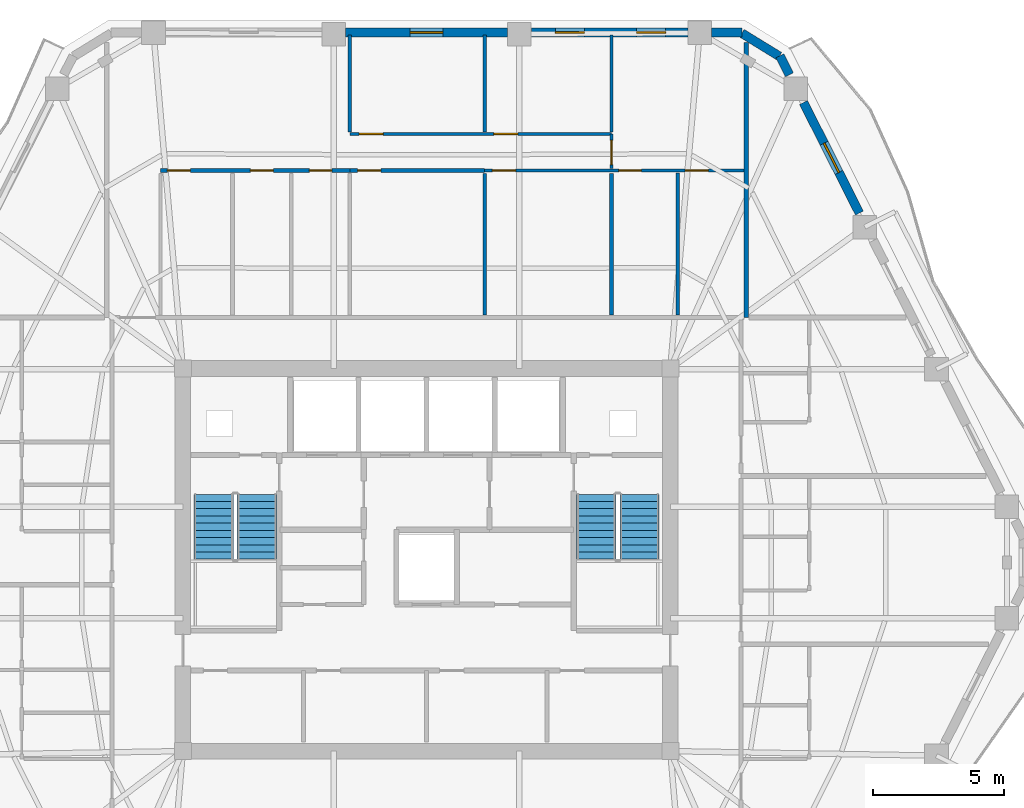
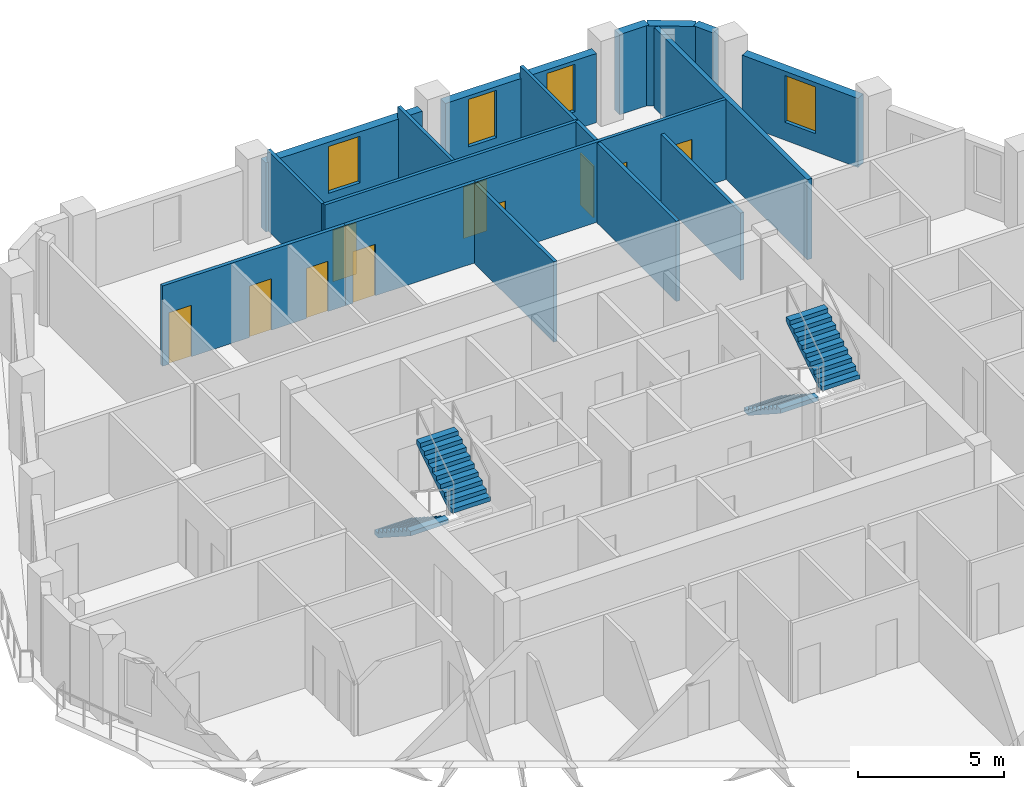
# One storey, part 8 of 12: 18 walls, 10 doors, 4 stair flights, 4 windows, 14 openings, 2 elements without a shape of their own.
"""IFC4 building model written with IfcOpenShell, lengths in metres."""

from ifc_helpers import new_model, si_unit, direction, frame, frame_2d, origin, place, context, subcontext, project, spatial, polyline, rectangle, outline, extrude, material, layer, layer_set, type_object, element, fill, aggregate, save


model = new_model("IFC4")

# Units and contexts
model_context = context("Model", 3, precision=1e-05, world=origin(), true_north=direction((0.0, 1.0)))
body_context = subcontext(model_context, "Body", "Model", "MODEL_VIEW")
ifc_project = project(units=[si_unit("LENGTHUNIT", "METRE"), si_unit("AREAUNIT", "SQUARE_METRE"), si_unit("VOLUMEUNIT", "CUBIC_METRE"), si_unit("PLANEANGLEUNIT", "RADIAN"), si_unit("MASSUNIT", "GRAM", prefix="KILO")], contexts=[model_context])

# Site, building, storey
site_placement = place(None, origin())
site = spatial("IfcSite", under=ifc_project, at=site_placement, CompositionType="ELEMENT")
building_placement = place(site_placement, origin())
building = spatial("IfcBuilding", under=site, at=building_placement, Name="Cinnabar Lancet Tower", CompositionType="ELEMENT")
storey_placement = place(building_placement, frame((0.0, 0.0, 189.64990234375)))
storey = spatial("IfcBuildingStorey", under=building, at=storey_placement, Name="L50", CompositionType="ELEMENT", Elevation=189.64990234375)

# Wall
ifc_material_1 = material(Name="Fire-rated twin-frame acoustic drywall", Category="gypsum")
ifc_layer_1 = layer(ifc_material_1, 0.179931640625)
ifc_layer_set_1 = layer_set([ifc_layer_1], Name="Fire-rated twin-frame acoustic drywall")
wall_type_1 = type_object("IfcWallType", Name="ARC-WL-PARTY-180", PredefinedType="PARTITIONING", material=ifc_layer_set_1)
wall_1_placement = place(storey_placement, frame((44.60009765625, 35.14990234375, 0.0), z_axis=(0.0, 0.0, 1.0), x_axis=(0.0, 1.0, 0.0)))
element("IfcWall", 1, at=wall_1_placement, inside=storey, type_object=wall_type_1, Name="PW-L50-NPTY-446", PredefinedType="PARTITIONING", context=body_context, shape_type="SweptSolid", body=[
    extrude(rectangle(XDim=10.482177734375, YDim=0.179931640625, at=frame_2d((5.2412109375, 0.0))), origin(), (0.0, 0.0, 1.0), 3.35009765625),
])

# Wall, openings, doors
ifc_material_2 = material(Name="Gypsum plasterboard stud partition", Category="gypsum")
ifc_layer_2 = layer(ifc_material_2, 0.125)
ifc_layer_set_2 = layer_set([ifc_layer_2], Name="Gypsum plasterboard stud partition")
wall_type_2 = type_object("IfcWallType", Name="ARC-WL-UNIT-125", PredefinedType="PARTITIONING", material=ifc_layer_set_2)
wall_2_placement = place(storey_placement, frame((34.615966796875, 40.75390625, 0.0), z_axis=(0.0, 0.0, 1.0), x_axis=(1.0, 0.0, 0.0)))
wall_2 = element("IfcWall", 2, at=wall_2_placement, inside=storey, type_object=wall_type_2, Name="UW-L50-N01-SP2", PredefinedType="PARTITIONING", context=body_context, shape_type="SweptSolid", body=[
    extrude(rectangle(XDim=9.888916015625, YDim=0.125, at=frame_2d((4.9443359375, 0.0))), origin(), (0.0, 0.0, 1.0), 3.35009765625),
])
opening_1_placement = place(wall_2_placement, frame((5.1201171875, 0.0, 0.0)))
opening_1 = element("IfcOpeningElement", 3, at=opening_1_placement, cuts=wall_2, Name="Opening BD-01", PredefinedType="OPENING", context=body_context, shape_type="SweptSolid", body=[
    extrude(rectangle(XDim=0.860107421875, YDim=2.10009765625, at=frame_2d((0.43017578125, 1.050048828125))), frame((0.0, 0.072509765625, 0.0), z_axis=(0.0, -1.0, 0.0), x_axis=(1.0, 0.0, 0.0)), (0.0, 0.0, 1.0), 0.14501953125),
])
opening_2_placement = place(wall_2_placement, frame((7.655029296875, 0.0, 0.0)))
opening_2 = element("IfcOpeningElement", 4, at=opening_2_placement, cuts=wall_2, Name="Opening RD-02", PredefinedType="OPENING", context=body_context, shape_type="SweptSolid", body=[
    extrude(rectangle(XDim=0.8798828125, YDim=2.14990234375, at=frame_2d((0.43994140625, 1.074951171875))), frame((0.0, 0.072509765625, 0.0), z_axis=(0.0, -1.0, 0.0), x_axis=(1.0, 0.0, 0.0)), (0.0, 0.0, 1.0), 0.14501953125),
])
opening_3_placement = place(wall_2_placement, frame((0.300048828125, 0.0, 0.0)))
opening_3 = element("IfcOpeningElement", 5, at=opening_3_placement, cuts=wall_2, Name="Opening RD-02", PredefinedType="OPENING", context=body_context, shape_type="SweptSolid", body=[
    extrude(rectangle(XDim=0.8798828125, YDim=2.14990234375, at=frame_2d((0.43994140625, 1.074951171875))), frame((0.0, 0.072509765625, 0.0), z_axis=(0.0, -1.0, 0.0), x_axis=(1.0, 0.0, 0.0)), (0.0, 0.0, 1.0), 0.14501953125),
])
ifc_material_3 = material(Name="Moisture-resistant timber bathroom door", Category="wood")
door_type_1 = type_object("IfcDoorType", Name="ARC-DR-BATH", OperationType="NOTDEFINED", PredefinedType="DOOR", material=ifc_material_3)
door_1_placement = place(opening_1_placement, origin())
door_1 = element("IfcDoor", 6, at=door_1_placement, inside=storey, type_object=door_type_1, Name="DR-L50-N01-ENS", OperationType="SINGLE_SWING_LEFT", OverallHeight=2.10009765625, OverallWidth=0.860107421875, PredefinedType="DOOR", context=body_context, shape_type="SweptSolid", body=[
    extrude(rectangle(XDim=0.860107421875, YDim=2.10009765625, at=frame_2d((0.43017578125, 1.050048828125))), frame((0.0, 0.02490234375, 0.0), z_axis=(0.0, -1.0, 0.0), x_axis=(1.0, 0.0, 0.0)), (0.0, 0.0, 1.0), 0.050048828125),
])
fill(opening_1, door_1)
ifc_material_4 = material(Name="Engineered timber study door", Category="wood")
door_type_2 = type_object("IfcDoorType", Name="ARC-DR-STUDY", OperationType="NOTDEFINED", PredefinedType="DOOR", material=ifc_material_4)
door_2_placement = place(opening_2_placement, origin())
door_2 = element("IfcDoor", 7, at=door_2_placement, inside=storey, type_object=door_type_2, Name="DR-L50-N01-ENS-WDR", OperationType="SINGLE_SWING_RIGHT", OverallHeight=2.14990234375, OverallWidth=0.8798828125, PredefinedType="DOOR", context=body_context, shape_type="SweptSolid", body=[
    extrude(rectangle(XDim=0.8798828125, YDim=2.14990234375, at=frame_2d((0.43994140625, 1.074951171875))), frame((0.0, 0.02490234375, 0.0), z_axis=(0.0, -1.0, 0.0), x_axis=(1.0, 0.0, 0.0)), (0.0, 0.0, 1.0), 0.050048828125),
])
fill(opening_2, door_2)
door_3_placement = place(opening_3_placement, origin())
door_3 = element("IfcDoor", 8, at=door_3_placement, inside=storey, type_object=door_type_2, Name="DR-L50-N01-DRS", OperationType="SINGLE_SWING_RIGHT", OverallHeight=2.14990234375, OverallWidth=0.8798828125, PredefinedType="DOOR", context=body_context, shape_type="SweptSolid", body=[
    extrude(rectangle(XDim=0.8798828125, YDim=2.14990234375, at=frame_2d((0.43994140625, 1.074951171875))), frame((0.0, 0.02490234375, 0.0), z_axis=(0.0, -1.0, 0.0), x_axis=(1.0, 0.0, 0.0)), (0.0, 0.0, 1.0), 0.050048828125),
])
fill(opening_3, door_3)

# Wall
wall_3_placement = place(storey_placement, frame((29.471923828125, 42.218994140625, 0.0), z_axis=(0.0, 0.0, 1.0), x_axis=(0.0, 1.0, 0.0)))
element("IfcWall", 9, at=wall_3_placement, inside=storey, type_object=wall_type_2, Name="UW-L50-N01-BD2W", PredefinedType="PARTITIONING", context=body_context, shape_type="SweptSolid", body=[
    extrude(rectangle(XDim=3.716064453125, YDim=0.125, at=frame_2d((1.85791015625, 0.0))), origin(), (0.0, 0.0, 1.0), 3.35009765625),
])

# Wall, openings, doors
wall_4_placement = place(storey_placement, frame((29.471923828125, 42.154052734375, 0.0), z_axis=(0.0, 0.0, 1.0), x_axis=(1.0, 0.0, 0.0)))
wall_4 = element("IfcWall", 10, at=wall_4_placement, inside=storey, type_object=wall_type_2, Name="UW-L50-N01-HLN", PredefinedType="PARTITIONING", context=body_context, shape_type="SweptSolid", body=[
    extrude(rectangle(XDim=9.984130859375, YDim=0.125, at=frame_2d((4.9921875, 0.0))), origin(), (0.0, 0.0, 1.0), 3.35009765625),
])
opening_4_placement = place(wall_4_placement, frame((0.35009765625, 0.0, 0.0)))
opening_4 = element("IfcOpeningElement", 11, at=opening_4_placement, cuts=wall_4, Name="Opening RD-01", PredefinedType="OPENING", context=body_context, shape_type="SweptSolid", body=[
    extrude(rectangle(XDim=0.919921875, YDim=2.14990234375, at=frame_2d((0.4599609375, 1.074951171875))), frame((0.0, 0.072509765625, 0.0), z_axis=(0.0, -1.0, 0.0), x_axis=(1.0, 0.0, 0.0)), (0.0, 0.0, 1.0), 0.14501953125),
])
opening_5_placement = place(wall_4_placement, frame((5.493896484375, 0.0, 0.0)))
opening_5 = element("IfcOpeningElement", 12, at=opening_5_placement, cuts=wall_4, Name="Opening RD-01", PredefinedType="OPENING", context=body_context, shape_type="SweptSolid", body=[
    extrude(rectangle(XDim=0.919921875, YDim=2.14990234375, at=frame_2d((0.4599609375, 1.074951171875))), frame((0.0, 0.072509765625, 0.0), z_axis=(0.0, -1.0, 0.0), x_axis=(1.0, 0.0, 0.0)), (0.0, 0.0, 1.0), 0.14501953125),
])
ifc_material_5 = material(Name="Engineered timber bedroom door", Category="wood")
door_type_3 = type_object("IfcDoorType", Name="ARC-DR-ROOM", OperationType="NOTDEFINED", PredefinedType="DOOR", material=ifc_material_5)
door_4_placement = place(opening_4_placement, origin())
door_4 = element("IfcDoor", 13, at=door_4_placement, inside=storey, type_object=door_type_3, Name="DR-L50-N01-BD2", OperationType="SINGLE_SWING_LEFT", OverallHeight=2.14990234375, OverallWidth=0.919921875, PredefinedType="DOOR", context=body_context, shape_type="SweptSolid", body=[
    extrude(rectangle(XDim=0.919921875, YDim=2.14990234375, at=frame_2d((0.4599609375, 1.074951171875))), frame((0.0, 0.02490234375, 0.0), z_axis=(0.0, -1.0, 0.0), x_axis=(1.0, 0.0, 0.0)), (0.0, 0.0, 1.0), 0.050048828125),
])
fill(opening_4, door_4)
door_5_placement = place(opening_5_placement, origin())
door_5 = element("IfcDoor", 14, at=door_5_placement, inside=storey, type_object=door_type_3, Name="DR-L50-N01-BD3", OperationType="SINGLE_SWING_RIGHT", OverallHeight=2.14990234375, OverallWidth=0.919921875, PredefinedType="DOOR", context=body_context, shape_type="SweptSolid", body=[
    extrude(rectangle(XDim=0.919921875, YDim=2.14990234375, at=frame_2d((0.4599609375, 1.074951171875))), frame((0.0, 0.02490234375, 0.0), z_axis=(0.0, -1.0, 0.0), x_axis=(1.0, 0.0, 0.0)), (0.0, 0.0, 1.0), 0.050048828125),
])
fill(opening_5, door_5)

# Wall, opening, door
wall_5_placement = place(storey_placement, frame((39.4560546875, 40.823974609375, 0.0), z_axis=(0.0, 0.0, 1.0), x_axis=(0.0, 1.0, 0.0)))
wall_5 = element("IfcWall", 15, at=wall_5_placement, inside=storey, type_object=wall_type_2, Name="UW-L50-N01-MBE", PredefinedType="PARTITIONING", context=body_context, shape_type="SweptSolid", body=[
    extrude(rectangle(XDim=1.330078125, YDim=0.125, at=frame_2d((0.6650390625, 0.0))), origin(), (0.0, 0.0, 1.0), 3.35009765625),
])
opening_6_placement = place(wall_5_placement, frame((0.159912109375, 0.0, 0.0)))
opening_6 = element("IfcOpeningElement", 16, at=opening_6_placement, cuts=wall_5, Name="Opening RD-01", PredefinedType="OPENING", context=body_context, shape_type="SweptSolid", body=[
    extrude(rectangle(XDim=0.919921875, YDim=2.14990234375, at=frame_2d((0.4599609375, 1.074951171875))), frame((0.0, 0.072509765625, 0.0), z_axis=(0.0, -1.0, 0.0), x_axis=(1.0, 0.0, 0.0)), (0.0, 0.0, 1.0), 0.14501953125),
])
door_6_placement = place(opening_6_placement, origin())
door_6 = element("IfcDoor", 17, at=door_6_placement, inside=storey, type_object=door_type_3, Name="DR-L50-N01-MBD", OperationType="SINGLE_SWING_LEFT", OverallHeight=2.14990234375, OverallWidth=0.919921875, PredefinedType="DOOR", context=body_context, shape_type="SweptSolid", body=[
    extrude(rectangle(XDim=0.919921875, YDim=2.14990234375, at=frame_2d((0.4599609375, 1.074951171875))), frame((0.0, 0.02490234375, 0.0), z_axis=(0.0, -1.0, 0.0), x_axis=(1.0, 0.0, 0.0)), (0.0, 0.0, 1.0), 0.050048828125),
])
fill(opening_6, door_6)

# Walls
for number, where, z_axis, x_axis, name in (
    (18, (34.615966796875, 42.218994140625, 0.0), (0.0, 0.0, 1.0), (0.0, 1.0, 0.0), "UW-L50-N01-MB2W"),
    (19, (39.4560546875, 42.218994140625, 0.0), (0.0, 0.0, 1.0), (0.0, 1.0, 0.0), "UW-L50-N01-B23W"),
):
    element("IfcWall", number, at=place(storey_placement, frame(where, z_axis=z_axis, x_axis=x_axis)), inside=storey, type_object=wall_type_2, Name=name, PredefinedType="PARTITIONING", context=body_context, shape_type="SweptSolid", body=[
        extrude(rectangle(XDim=3.716064453125, YDim=0.125, at=frame_2d((1.85791015625, 0.0))), origin(), (0.0, 0.0, 1.0), 3.35009765625),
    ])

# Wall, openings, doors
ifc_material_6 = material(Name="Moisture-resistant cement-board plumbing wall", Category="masonry")
ifc_layer_3 = layer(ifc_material_6, 0.139892578125)
ifc_layer_set_3 = layer_set([ifc_layer_3], Name="Moisture-resistant cement-board plumbing wall")
wall_type_3 = type_object("IfcWallType", Name="ARC-WL-WET-140", PredefinedType="PLUMBINGWALL", material=ifc_layer_set_3)
wall_6_placement = place(storey_placement, frame((22.25, 40.75390625, 0.0), z_axis=(0.0, 0.0, 1.0), x_axis=(1.0, 0.0, 0.0)))
wall_6 = element("IfcWall", 20, at=wall_6_placement, inside=storey, type_object=wall_type_3, Name="UW-L50-N01-SPL", PredefinedType="PLUMBINGWALL", context=body_context, shape_type="SweptSolid", body=[
    extrude(rectangle(XDim=7.221923828125, YDim=0.139892578125, at=frame_2d((3.61083984375, 0.0))), origin(), (0.0, 0.0, 1.0), 3.35009765625),
])
opening_7_placement = place(wall_6_placement, frame((5.677978515625, 0.0, 0.0)))
opening_7 = element("IfcOpeningElement", 21, at=opening_7_placement, cuts=wall_6, Name="Opening BD-01", PredefinedType="OPENING", context=body_context, shape_type="SweptSolid", body=[
    extrude(rectangle(XDim=0.860107421875, YDim=2.10009765625, at=frame_2d((0.43017578125, 1.050048828125))), frame((0.0, 0.079833984375, 0.0), z_axis=(0.0, -1.0, 0.0), x_axis=(1.0, 0.0, 0.0)), (0.0, 0.0, 1.0), 0.159912109375),
])
opening_8_placement = place(wall_6_placement, frame((0.260009765625, 0.0, 0.0)))
opening_8 = element("IfcOpeningElement", 22, at=opening_8_placement, cuts=wall_6, Name="Opening RD-02", PredefinedType="OPENING", context=body_context, shape_type="SweptSolid", body=[
    extrude(rectangle(XDim=0.8798828125, YDim=2.14990234375, at=frame_2d((0.43994140625, 1.074951171875))), frame((0.0, 0.079833984375, 0.0), z_axis=(0.0, -1.0, 0.0), x_axis=(1.0, 0.0, 0.0)), (0.0, 0.0, 1.0), 0.159912109375),
])
opening_9_placement = place(wall_6_placement, frame((3.424072265625, 0.0, 0.0)))
opening_9 = element("IfcOpeningElement", 23, at=opening_9_placement, cuts=wall_6, Name="Opening RD-02", PredefinedType="OPENING", context=body_context, shape_type="SweptSolid", body=[
    extrude(rectangle(XDim=0.8798828125, YDim=2.14990234375, at=frame_2d((0.43994140625, 1.074951171875))), frame((0.0, 0.079833984375, 0.0), z_axis=(0.0, -1.0, 0.0), x_axis=(1.0, 0.0, 0.0)), (0.0, 0.0, 1.0), 0.159912109375),
])
door_7_placement = place(opening_7_placement, origin())
door_7 = element("IfcDoor", 24, at=door_7_placement, inside=storey, type_object=door_type_1, Name="DR-L50-N01-BTH", OperationType="SINGLE_SWING_LEFT", OverallHeight=2.10009765625, OverallWidth=0.860107421875, PredefinedType="DOOR", context=body_context, shape_type="SweptSolid", body=[
    extrude(rectangle(XDim=0.860107421875, YDim=2.10009765625, at=frame_2d((0.43017578125, 1.050048828125))), frame((0.0, 0.02490234375, 0.0), z_axis=(0.0, -1.0, 0.0), x_axis=(1.0, 0.0, 0.0)), (0.0, 0.0, 1.0), 0.050048828125),
])
fill(opening_7, door_7)
door_8_placement = place(opening_8_placement, origin())
door_8 = element("IfcDoor", 25, at=door_8_placement, inside=storey, type_object=door_type_2, Name="DR-L50-N01-KIT", OperationType="SINGLE_SWING_LEFT", OverallHeight=2.14990234375, OverallWidth=0.8798828125, PredefinedType="DOOR", context=body_context, shape_type="SweptSolid", body=[
    extrude(rectangle(XDim=0.8798828125, YDim=2.14990234375, at=frame_2d((0.43994140625, 1.074951171875))), frame((0.0, 0.02490234375, 0.0), z_axis=(0.0, -1.0, 0.0), x_axis=(1.0, 0.0, 0.0)), (0.0, 0.0, 1.0), 0.050048828125),
])
fill(opening_8, door_8)
door_9_placement = place(opening_9_placement, origin())
door_9 = element("IfcDoor", 26, at=door_9_placement, inside=storey, type_object=door_type_2, Name="DR-L50-N01-STD", OperationType="SINGLE_SWING_RIGHT", OverallHeight=2.14990234375, OverallWidth=0.8798828125, PredefinedType="DOOR", context=body_context, shape_type="SweptSolid", body=[
    extrude(rectangle(XDim=0.8798828125, YDim=2.14990234375, at=frame_2d((0.43994140625, 1.074951171875))), frame((0.0, 0.02490234375, 0.0), z_axis=(0.0, -1.0, 0.0), x_axis=(1.0, 0.0, 0.0)), (0.0, 0.0, 1.0), 0.050048828125),
])
fill(opening_9, door_9)

# Wall, opening, door
wall_7_placement = place(storey_placement, frame((29.471923828125, 40.75390625, 0.0), z_axis=(0.0, 0.0, 1.0), x_axis=(1.0, 0.0, 0.0)))
wall_7 = element("IfcWall", 27, at=wall_7_placement, inside=storey, type_object=wall_type_3, Name="UW-L50-N01-SPM", PredefinedType="PLUMBINGWALL", context=body_context, shape_type="SweptSolid", body=[
    extrude(rectangle(XDim=5.14404296875, YDim=0.139892578125, at=frame_2d((2.572021484375, 0.0))), origin(), (0.0, 0.0, 1.0), 3.35009765625),
])
opening_10_placement = place(wall_7_placement, frame((0.300048828125, 0.0, 0.0)))
opening_10 = element("IfcOpeningElement", 28, at=opening_10_placement, cuts=wall_7, Name="Opening RD-02", PredefinedType="OPENING", context=body_context, shape_type="SweptSolid", body=[
    extrude(rectangle(XDim=0.8798828125, YDim=2.14990234375, at=frame_2d((0.43994140625, 1.074951171875))), frame((0.0, 0.079833984375, 0.0), z_axis=(0.0, -1.0, 0.0), x_axis=(1.0, 0.0, 0.0)), (0.0, 0.0, 1.0), 0.159912109375),
])
door_10_placement = place(opening_10_placement, origin())
door_10 = element("IfcDoor", 29, at=door_10_placement, inside=storey, type_object=door_type_2, Name="DR-L50-N01-UTL", OperationType="SINGLE_SWING_RIGHT", OverallHeight=2.14990234375, OverallWidth=0.8798828125, PredefinedType="DOOR", context=body_context, shape_type="SweptSolid", body=[
    extrude(rectangle(XDim=0.8798828125, YDim=2.14990234375, at=frame_2d((0.43994140625, 1.074951171875))), frame((0.0, 0.02490234375, 0.0), z_axis=(0.0, -1.0, 0.0), x_axis=(1.0, 0.0, 0.0)), (0.0, 0.0, 1.0), 0.050048828125),
])
fill(opening_10, door_10)

# Walls
for number, where, z_axis, x_axis, name in (
    (30, (34.615966796875, 35.235107421875, 0.0), (0.0, 0.0, 1.0), (0.0, 1.0, 0.0), "UW-L50-N01-ENSE"),
    (31, (39.4560546875, 35.235107421875, 0.0), (0.0, 0.0, 1.0), (0.0, 1.0, 0.0), "UW-L50-N01-UT3"),
):
    element("IfcWall", number, at=place(storey_placement, frame(where, z_axis=z_axis, x_axis=x_axis)), inside=storey, type_object=wall_type_3, Name=name, PredefinedType="PLUMBINGWALL", context=body_context, shape_type="SweptSolid", body=[
        extrude(rectangle(XDim=5.413818359375, YDim=0.139892578125, at=frame_2d((2.70703125, 0.0))), origin(), (0.0, 0.0, 1.0), 3.35009765625),
    ])
wall_8_placement = place(storey_placement, frame((41.990966796875, 35.235107421875, 0.0), z_axis=(0.0, 0.0, 1.0), x_axis=(0.0, 1.0, 0.0)))
element("IfcWall", 32, at=wall_8_placement, inside=storey, type_object=wall_type_3, Name="UW-L50-N01-ENS-WDV", PredefinedType="PLUMBINGWALL", context=body_context, shape_type="SweptSolid", body=[
    extrude(rectangle(XDim=5.433837890625, YDim=0.139892578125, at=frame_2d((2.716796875, 0.0))), origin(), (0.0, 0.0, 1.0), 2.80712890625),
])
ifc_material_7 = material(Name="Cinnabar red clay brick", Category="masonry")
ifc_layer_4 = layer(ifc_material_7, 0.340087890625)
ifc_layer_set_4 = layer_set([ifc_layer_4], Name="Cinnabar red clay brick")
wall_type_4 = type_object("IfcWallType", Name="ENV-WL-BRK-RED-340", PredefinedType="STANDARD", material=ifc_layer_set_4)
wall_9_placement = place(storey_placement, frame((45.862060546875, 45.115966796875, 0.0), z_axis=(0.0, 0.0, 1.0), x_axis=(-0.851713271379, 0.524008113828, 0.0)))
element("IfcWall", 33, at=wall_9_placement, inside=storey, type_object=wall_type_4, Name="L50 Chamfered Corner Brick Pier 4.1", PredefinedType="STANDARD", context=body_context, shape_type="SweptSolid", body=[
    extrude(rectangle(XDim=1.677734375, YDim=0.340087890625, at=frame_2d((0.8388671875, 0.0))), origin(), (0.0, 0.0, 1.0), 3.35009765625),
])

# Wall, opening, window
wall_10_placement = place(storey_placement, frame((48.9189453125, 39.1298828125, 0.0), z_axis=(0.0, 0.0, 1.0), x_axis=(-0.45150207307, 0.892270070109, 0.0)))
wall_10 = element("IfcWall", 34, at=wall_10_placement, inside=storey, type_object=wall_type_4, Name="L50 Face 3 Masonry Bay Wall 4", PredefinedType="STANDARD", context=body_context, shape_type="SweptSolid", body=[
    extrude(rectangle(XDim=4.73095703125, YDim=0.340087890625, at=frame_2d((2.365478515625, 0.0))), origin(), (0.0, 0.0, 1.0), 2.883056640625),
])
opening_11_placement = place(wall_10_placement, frame((1.739990234375, 0.0, 0.75)))
opening_11 = element("IfcOpeningElement", 35, at=opening_11_placement, cuts=wall_10, Name="Opening WN-03", PredefinedType="OPENING", context=body_context, shape_type="SweptSolid", body=[
    extrude(rectangle(XDim=1.25, YDim=1.949951171875, at=frame_2d((0.625, 0.97509765625))), frame((0.0, 0.179931640625, 0.0), z_axis=(0.0, -1.0, 0.0), x_axis=(1.0, 0.0, 0.0)), (0.0, 0.0, 1.0), 0.360107421875),
])
ifc_material_8 = material(Name="Thermally broken bronze-anodized aluminium low-E double glazing", Category="aluminium")
window_type_1 = type_object("IfcWindowType", Name="ENV-WN-LANCET-1250", PartitioningType="SINGLE_PANEL", PredefinedType="WINDOW", material=ifc_material_8)
window_1_placement = place(opening_11_placement, origin())
window_1 = element("IfcWindow", 36, at=window_1_placement, inside=storey, type_object=window_type_1, Name="L50 Face 3 Gothic Lancet Window 4", OverallHeight=1.949951171875, OverallWidth=1.25, PartitioningType="SINGLE_PANEL", PredefinedType="WINDOW", context=body_context, shape_type="SweptSolid", body=[
    extrude(rectangle(XDim=1.25, YDim=1.949951171875, at=frame_2d((0.625, 0.97509765625))), frame((0.0, 0.030029296875, 0.0), z_axis=(0.0, -1.0, 0.0), x_axis=(1.0, 0.0, 0.0)), (0.0, 0.0, 1.0), 0.06005859375),
])
fill(opening_11, window_1)

# Walls
wall_11_placement = place(storey_placement, frame((46.24609375, 44.4130859375, 0.0), z_axis=(0.0, 0.0, 1.0), x_axis=(-0.451691568309, 0.892174157392, 0.0)))
element("IfcWall", 37, at=wall_11_placement, inside=storey, type_object=wall_type_4, Name="L50 Face 3 Masonry Bay Wall 5", PredefinedType="STANDARD", context=body_context, shape_type="SweptSolid", body=[
    extrude(rectangle(XDim=0.805908203125, YDim=0.340087890625, at=frame_2d((0.40283203125, 0.0))), origin(), (0.0, 0.0, 1.0), 3.35009765625),
])
wall_12_placement = place(storey_placement, frame((44.43798828125, 46.02001953125, 0.0), z_axis=(0.0, 0.0, 1.0), x_axis=(-1.0, 0.0, 0.0)))
element("IfcWall", 38, at=wall_12_placement, inside=storey, type_object=wall_type_4, Name="L50 Face 4 Masonry Bay Wall 1", PredefinedType="STANDARD", context=body_context, shape_type="SweptSolid", body=[
    extrude(rectangle(XDim=1.1630859375, YDim=0.340087890625, at=frame_2d((0.58154296875, 0.0))), origin(), (0.0, 0.0, 1.0), 3.35009765625),
])

# Wall, openings, windows
wall_13_placement = place(storey_placement, frame((42.366943359375, 46.02001953125, 0.0), z_axis=(0.0, 0.0, 1.0), x_axis=(-1.0, 0.0, 0.0)))
wall_13 = element("IfcWall", 39, at=wall_13_placement, inside=storey, type_object=wall_type_4, Name="L50 Face 4 Masonry Bay Wall 2", PredefinedType="STANDARD", context=body_context, shape_type="SweptSolid", body=[
    extrude(rectangle(XDim=5.969970703125, YDim=0.340087890625, at=frame_2d((2.98486328125, 0.0))), origin(), (0.0, 0.0, 1.0), 2.883056640625),
])
opening_12_placement = place(wall_13_placement, frame((0.84912109375, 0.0, 0.75)))
opening_12 = element("IfcOpeningElement", 40, at=opening_12_placement, cuts=wall_13, Name="Opening WN-04", PredefinedType="OPENING", context=body_context, shape_type="SweptSolid", body=[
    extrude(rectangle(XDim=1.10009765625, YDim=1.98291015625, at=frame_2d((0.550048828125, 0.991455078125))), frame((0.0, 0.179931640625, 0.0), z_axis=(0.0, -1.0, 0.0), x_axis=(1.0, 0.0, 0.0)), (0.0, 0.0, 1.0), 0.360107421875),
])
opening_13_placement = place(wall_13_placement, frame((3.947021484375, 0.0, 0.75)))
opening_13 = element("IfcOpeningElement", 41, at=opening_13_placement, cuts=wall_13, Name="Opening WN-04", PredefinedType="OPENING", context=body_context, shape_type="SweptSolid", body=[
    extrude(rectangle(XDim=1.10009765625, YDim=1.98291015625, at=frame_2d((0.550048828125, 0.991455078125))), frame((0.0, 0.179931640625, 0.0), z_axis=(0.0, -1.0, 0.0), x_axis=(1.0, 0.0, 0.0)), (0.0, 0.0, 1.0), 0.360107421875),
])
ifc_material_9 = material(Name="Thermally broken bronze-anodized aluminium tall lancet window", Category="aluminium")
window_type_2 = type_object("IfcWindowType", Name="ENV-WN-LANCET-1100", PartitioningType="SINGLE_PANEL", PredefinedType="WINDOW", material=ifc_material_9)
window_2_placement = place(opening_12_placement, origin())
window_2 = element("IfcWindow", 42, at=window_2_placement, inside=storey, type_object=window_type_2, Name="L50 Face 4 Gothic Lancet Window 2", OverallHeight=1.98291015625, OverallWidth=1.10009765625, PartitioningType="SINGLE_PANEL", PredefinedType="WINDOW", context=body_context, shape_type="SweptSolid", body=[
    extrude(rectangle(XDim=1.10009765625, YDim=1.98291015625, at=frame_2d((0.550048828125, 0.991455078125))), frame((0.0, 0.030029296875, 0.0), z_axis=(0.0, -1.0, 0.0), x_axis=(1.0, 0.0, 0.0)), (0.0, 0.0, 1.0), 0.06005859375),
])
fill(opening_12, window_2)
window_3_placement = place(opening_13_placement, origin())
window_3 = element("IfcWindow", 43, at=window_3_placement, inside=storey, type_object=window_type_2, Name="L50 Split-Bay Gothic Lancet Window 162", OverallHeight=1.98291015625, OverallWidth=1.10009765625, PartitioningType="SINGLE_PANEL", PredefinedType="WINDOW", context=body_context, shape_type="SweptSolid", body=[
    extrude(rectangle(XDim=1.10009765625, YDim=1.98291015625, at=frame_2d((0.550048828125, 0.991455078125))), frame((0.0, 0.030029296875, 0.0), z_axis=(0.0, -1.0, 0.0), x_axis=(1.0, 0.0, 0.0)), (0.0, 0.0, 1.0), 0.06005859375),
])
fill(opening_13, window_3)

# Wall, opening, window
wall_14_placement = place(storey_placement, frame((35.489013671875, 46.02001953125, 0.0), z_axis=(0.0, 0.0, 1.0), x_axis=(-1.0, 0.0, 0.0)))
wall_14 = element("IfcWall", 44, at=wall_14_placement, inside=storey, type_object=wall_type_4, Name="L50 Face 4 Masonry Bay Wall 3", PredefinedType="STANDARD", context=body_context, shape_type="SweptSolid", body=[
    extrude(rectangle(XDim=6.177978515625, YDim=0.340087890625, at=frame_2d((3.0888671875, 0.0))), origin(), (0.0, 0.0, 1.0), 2.883056640625),
])
opening_14_placement = place(wall_14_placement, frame((2.464111328125, 0.0, 0.75)))
opening_14 = element("IfcOpeningElement", 45, at=opening_14_placement, cuts=wall_14, Name="Opening WN-03", PredefinedType="OPENING", context=body_context, shape_type="SweptSolid", body=[
    extrude(rectangle(XDim=1.25, YDim=1.949951171875, at=frame_2d((0.625, 0.97509765625))), frame((0.0, 0.179931640625, 0.0), z_axis=(0.0, -1.0, 0.0), x_axis=(1.0, 0.0, 0.0)), (0.0, 0.0, 1.0), 0.360107421875),
])
window_4_placement = place(opening_14_placement, origin())
window_4 = element("IfcWindow", 46, at=window_4_placement, inside=storey, type_object=window_type_1, Name="L50 Face 4 Gothic Lancet Window 3", OverallHeight=1.949951171875, OverallWidth=1.25, PartitioningType="SINGLE_PANEL", PredefinedType="WINDOW", context=body_context, shape_type="SweptSolid", body=[
    extrude(rectangle(XDim=1.25, YDim=1.949951171875, at=frame_2d((0.625, 0.97509765625))), frame((0.0, 0.030029296875, 0.0), z_axis=(0.0, -1.0, 0.0), x_axis=(1.0, 0.0, 0.0)), (0.0, 0.0, 1.0), 0.06005859375),
])
fill(opening_14, window_4)

# Stair, stair flights
ifc_material_10 = material(Name="Concrete C40/50", Category="concrete")
stair_type = type_object("IfcStairType", Name="ST-CORE", PredefinedType="HALF_TURN_STAIR", material=ifc_material_10)
stair_1_placement = place(storey_placement, origin())
stair_1 = element("IfcStair", 47, at=stair_1_placement, inside=storey, type_object=stair_type, Name="L50 ST-1", PredefinedType="HALF_TURN_STAIR")
ifc_material_11 = material(Name="Concrete C40/50", Category="concrete")
stair_flight_type = type_object("IfcStairFlightType", Name="FLIGHT-CORE", PredefinedType="STRAIGHT", material=ifc_material_11)
stair_flight_1_placement = place(storey_placement, frame((24.27490234375, 28.39990234375, 0.0), z_axis=(0.0, 0.0, 1.0), x_axis=(0.0, -1.0, 0.0)))
stair_flight_1 = element("IfcStairFlight", 48, at=stair_flight_1_placement, type_object=stair_flight_type, Name="ST-1 flight 1", NumberOfRisers=10, NumberOfTreads=9, PredefinedType="STRAIGHT", RiserHeight=0.1775, TreadLength=0.275, context=body_context, shape_type="SweptSolid", body=[
    extrude(outline(polyline([(0.0, 0.0), (0.0, 0.177490234375), (0.27490234375, 0.177490234375), (0.27490234375, 0.35498046875), (0.550048828125, 0.35498046875), (0.550048828125, 0.532470703125), (0.824951171875, 0.532470703125), (0.824951171875, 0.7099609375), (1.10009765625, 0.7099609375), (1.10009765625, 0.887451171875), (1.375, 0.887451171875), (1.375, 1.06494140625), (1.64990234375, 1.06494140625), (1.64990234375, 1.242431640625), (1.925048828125, 1.242431640625), (1.925048828125, 1.419921875), (2.199951171875, 1.419921875), (2.199951171875, 1.597412109375), (2.47509765625, 1.597412109375), (2.47509765625, 1.77490234375), (2.47509765625, 1.419189453125), (0.2763671875, 0.0), (0.0, 0.0)])), frame((0.0, 0.75, 0.0), z_axis=(0.0, -1.0, 0.0), x_axis=(1.0, 0.0, 0.0)), (0.0, 0.0, 1.0), 1.5),
])
stair_flight_2_placement = place(storey_placement, frame((25.925048828125, 25.925048828125, 1.775146484375), z_axis=(0.0, 0.0, 1.0), x_axis=(0.0, 1.0, 0.0)))
stair_flight_2 = element("IfcStairFlight", 49, at=stair_flight_2_placement, type_object=stair_flight_type, Name="ST-1 flight 2", NumberOfRisers=10, NumberOfTreads=9, PredefinedType="STRAIGHT", RiserHeight=0.1775, TreadLength=0.275, context=body_context, shape_type="SweptSolid", body=[
    extrude(outline(polyline([(0.0, 0.0), (0.0, 0.177490234375), (0.27490234375, 0.177490234375), (0.27490234375, 0.35498046875), (0.550048828125, 0.35498046875), (0.550048828125, 0.532470703125), (0.824951171875, 0.532470703125), (0.824951171875, 0.7099609375), (1.10009765625, 0.7099609375), (1.10009765625, 0.887451171875), (1.375, 0.887451171875), (1.375, 1.06494140625), (1.64990234375, 1.06494140625), (1.64990234375, 1.242431640625), (1.925048828125, 1.242431640625), (1.925048828125, 1.419921875), (2.199951171875, 1.419921875), (2.199951171875, 1.597412109375), (2.47509765625, 1.597412109375), (2.47509765625, 1.77490234375), (2.47509765625, 1.419189453125), (0.2763671875, 0.0), (0.0, 0.0)])), frame((0.0, 0.75, 0.0), z_axis=(0.0, -1.0, 0.0), x_axis=(1.0, 0.0, 0.0)), (0.0, 0.0, 1.0), 1.5),
])
aggregate(stair_1, [stair_flight_1, stair_flight_2])

stair_2_placement = place(storey_placement, origin())
stair_2 = element("IfcStair", 50, at=stair_2_placement, inside=storey, type_object=stair_type, Name="L50 ST-2", PredefinedType="HALF_TURN_STAIR")
stair_flight_3_placement = place(storey_placement, frame((38.875, 28.39990234375, 0.0), z_axis=(0.0, 0.0, 1.0), x_axis=(0.0, -1.0, 0.0)))
stair_flight_3 = element("IfcStairFlight", 51, at=stair_flight_3_placement, type_object=stair_flight_type, Name="ST-2 flight 1", NumberOfRisers=10, NumberOfTreads=9, PredefinedType="STRAIGHT", RiserHeight=0.1775, TreadLength=0.275, context=body_context, shape_type="SweptSolid", body=[
    extrude(outline(polyline([(0.0, 0.0), (0.0, 0.177490234375), (0.27490234375, 0.177490234375), (0.27490234375, 0.35498046875), (0.550048828125, 0.35498046875), (0.550048828125, 0.532470703125), (0.824951171875, 0.532470703125), (0.824951171875, 0.7099609375), (1.10009765625, 0.7099609375), (1.10009765625, 0.887451171875), (1.375, 0.887451171875), (1.375, 1.06494140625), (1.64990234375, 1.06494140625), (1.64990234375, 1.242431640625), (1.925048828125, 1.242431640625), (1.925048828125, 1.419921875), (2.199951171875, 1.419921875), (2.199951171875, 1.597412109375), (2.47509765625, 1.597412109375), (2.47509765625, 1.77490234375), (2.47509765625, 1.419189453125), (0.2763671875, 0.0), (0.0, 0.0)])), frame((0.0, 0.75, 0.0), z_axis=(0.0, -1.0, 0.0), x_axis=(1.0, 0.0, 0.0)), (0.0, 0.0, 1.0), 1.5),
])
stair_flight_4_placement = place(storey_placement, frame((40.52490234375, 25.925048828125, 1.775146484375), z_axis=(0.0, 0.0, 1.0), x_axis=(0.0, 1.0, 0.0)))
stair_flight_4 = element("IfcStairFlight", 52, at=stair_flight_4_placement, type_object=stair_flight_type, Name="ST-2 flight 2", NumberOfRisers=10, NumberOfTreads=9, PredefinedType="STRAIGHT", RiserHeight=0.1775, TreadLength=0.275, context=body_context, shape_type="SweptSolid", body=[
    extrude(outline(polyline([(0.0, 0.0), (0.0, 0.177490234375), (0.27490234375, 0.177490234375), (0.27490234375, 0.35498046875), (0.550048828125, 0.35498046875), (0.550048828125, 0.532470703125), (0.824951171875, 0.532470703125), (0.824951171875, 0.7099609375), (1.10009765625, 0.7099609375), (1.10009765625, 0.887451171875), (1.375, 0.887451171875), (1.375, 1.06494140625), (1.64990234375, 1.06494140625), (1.64990234375, 1.242431640625), (1.925048828125, 1.242431640625), (1.925048828125, 1.419921875), (2.199951171875, 1.419921875), (2.199951171875, 1.597412109375), (2.47509765625, 1.597412109375), (2.47509765625, 1.77490234375), (2.47509765625, 1.419189453125), (0.2763671875, 0.0), (0.0, 0.0)])), frame((0.0, 0.75, 0.0), z_axis=(0.0, -1.0, 0.0), x_axis=(1.0, 0.0, 0.0)), (0.0, 0.0, 1.0), 1.5),
])
aggregate(stair_2, [stair_flight_3, stair_flight_4])

save(model, "model.ifc")
